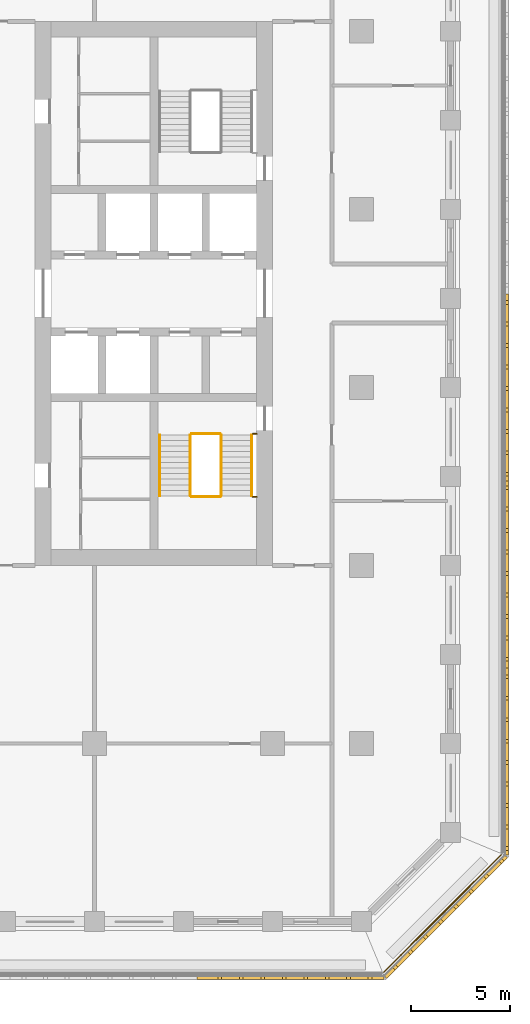
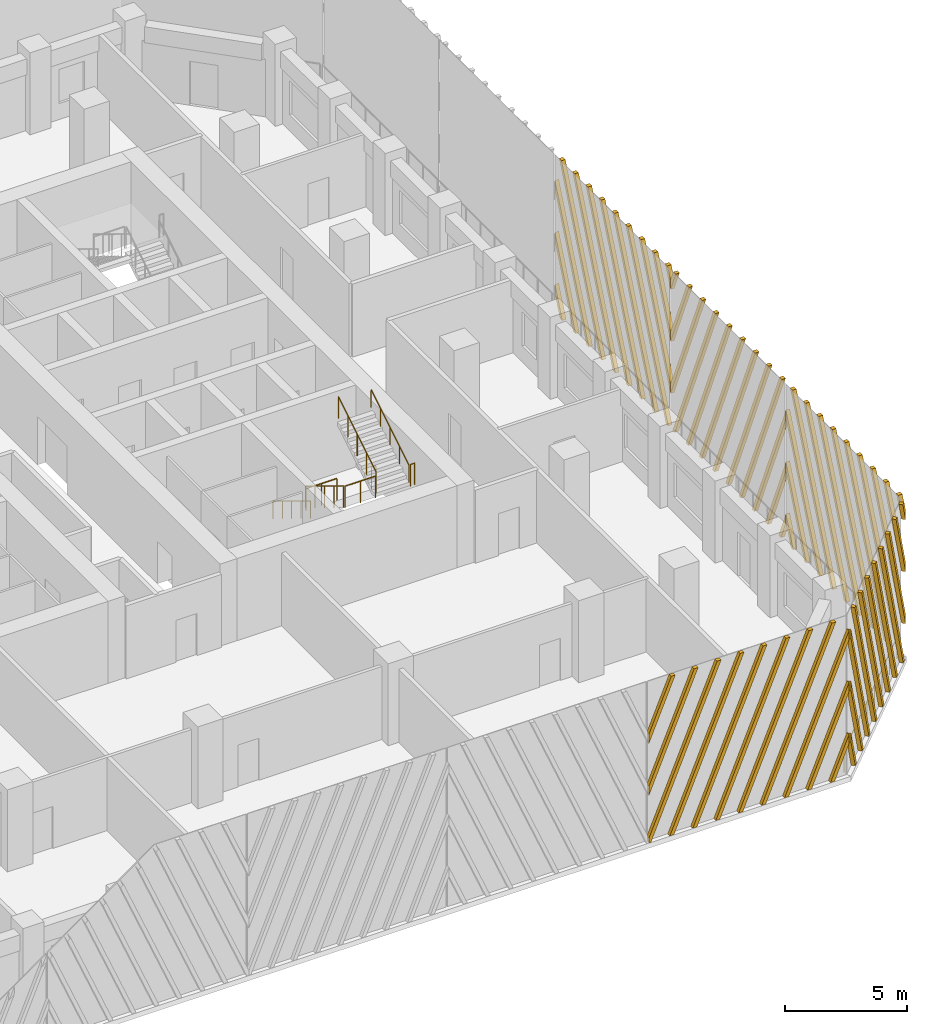
# One storey, part 11 of 16: 9 railings, 5 shading devices.
"""IFC4 building model written with IfcOpenShell, lengths in metres."""

from ifc_helpers import new_model, si_unit, direction, frame, origin, origin_2d, place, context, subcontext, project, spatial, polyline, circle, outline, extrude, source, transform, mapped, material, type_object, element, save


model = new_model("IFC4")

# Units and contexts
model_context = context("Model", 3, precision=1e-05, world=origin(), true_north=direction((0.0, 1.0)))
body_context = subcontext(model_context, "Body", "Model", "MODEL_VIEW")
ifc_project = project(units=[si_unit("LENGTHUNIT", "METRE"), si_unit("AREAUNIT", "SQUARE_METRE"), si_unit("VOLUMEUNIT", "CUBIC_METRE"), si_unit("PLANEANGLEUNIT", "RADIAN"), si_unit("MASSUNIT", "GRAM", prefix="KILO")], contexts=[model_context])

# Site, building, storey
site_placement = place(None, origin())
site = spatial("IfcSite", under=ifc_project, at=site_placement, CompositionType="ELEMENT")
building_placement = place(site_placement, origin())
building = spatial("IfcBuilding", under=site, at=building_placement, Name="Corbel Stack Research Tower", CompositionType="ELEMENT")
storey_placement = place(building_placement, frame((0.0, 0.0, 165.0)))
storey = spatial("IfcBuildingStorey", under=building, at=storey_placement, Name="L37", CompositionType="ELEMENT", Elevation=165.0)

# Railings
ifc_material_1 = material(Name="Steel S355", Category="steel")
railing_type_1 = type_object("IfcRailingType", Name="Stair guard 1100", PredefinedType="GUARDRAIL", material=ifc_material_1)
railing_1_placement = place(storey_placement, frame((13.85009765625, -2.39990234375, 0.1708984375)))
element("IfcRailing", 1, at=railing_1_placement, inside=storey, type_object=railing_type_1, Name="L37 ST-E1 stair guard 1", PredefinedType="GUARDRAIL", context=body_context, shape_type="SweptSolid", body=[
    extrude(circle(Radius=0.02392578125, at=origin_2d()), frame((0.0, 0.0, 1.076171875), z_axis=(0.0, -0.853666305674, 0.52082035152), x_axis=(1.0, 0.0, 0.0)), (0.0, 0.0, 1.0), 3.608154296875),
    extrude(circle(Radius=0.02099609375, at=origin_2d()), origin(), (0.0, 0.0, 1.0), 1.052001953125),
    extrude(circle(Radius=0.02099609375, at=origin_2d()), frame((0.0, -0.77001953125, 0.4697265625)), (0.0, 0.0, 1.0), 1.052001953125),
    extrude(circle(Radius=0.02099609375, at=origin_2d()), frame((0.0, -1.5400390625, 0.939453125)), (0.0, 0.0, 1.0), 1.052001953125),
    extrude(circle(Radius=0.02099609375, at=origin_2d()), frame((0.0, -2.31005859375, 1.409423828125)), (0.0, 0.0, 1.0), 1.052001953125),
    extrude(circle(Radius=0.02099609375, at=origin_2d()), frame((0.0, -3.080078125, 1.879150390625)), (0.0, 0.0, 1.0), 1.052001953125),
])
railing_2_placement = place(storey_placement, frame((13.89990234375, -5.530029296875, 2.050048828125)))
element("IfcRailing", 2, at=railing_2_placement, inside=storey, type_object=railing_type_1, Name="L37 ST-E1 stair guard 2", PredefinedType="GUARDRAIL", context=body_context, shape_type="SweptSolid", body=[
    extrude(circle(Radius=0.02392578125, at=origin_2d()), frame((0.0, 0.0, 1.076171875), z_axis=(1.0, 0.0, 0.0), x_axis=(0.0, 1.0, 0.0)), (0.0, 0.0, 1.0), 1.4501953125),
    extrude(circle(Radius=0.02099609375, at=origin_2d()), origin(), (0.0, 0.0, 1.0), 1.052001953125),
    extrude(circle(Radius=0.02099609375, at=origin_2d()), frame((0.72509765625, 0.0, 0.0)), (0.0, 0.0, 1.0), 1.052001953125),
    extrude(circle(Radius=0.02099609375, at=origin_2d()), frame((1.4501953125, 0.0, 0.0)), (0.0, 0.0, 1.0), 1.052001953125),
])
railing_3_placement = place(storey_placement, frame((17.0, -5.530029296875, 2.050048828125)))
element("IfcRailing", 3, at=railing_3_placement, inside=storey, type_object=railing_type_1, Name="L37 ST-E1 stair guard 3", PredefinedType="GUARDRAIL", context=body_context, shape_type="SweptSolid", body=[
    extrude(circle(Radius=0.02392578125, at=origin_2d()), frame((0.0, 0.0, 1.076171875), z_axis=(1.0, 0.0, 0.0), x_axis=(0.0, 1.0, 0.0)), (0.0, 0.0, 1.0), 0.199951171875),
    extrude(circle(Radius=0.02099609375, at=origin_2d()), origin(), (0.0, 0.0, 1.0), 1.052001953125),
    extrude(circle(Radius=0.02099609375, at=origin_2d()), frame((0.199951171875, 0.0, 0.0)), (0.0, 0.0, 1.0), 1.052001953125),
])
railing_4_placement = place(storey_placement, frame((15.39990234375, -5.47998046875, 2.220947265625)))
element("IfcRailing", 4, at=railing_4_placement, inside=storey, type_object=railing_type_1, Name="L37 ST-E1 stair guard 4", PredefinedType="GUARDRAIL", context=body_context, shape_type="SweptSolid", body=[
    extrude(circle(Radius=0.02392578125, at=origin_2d()), frame((0.0, 0.0, 1.076171875), z_axis=(0.0, 0.853666305674, 0.52082035152), x_axis=(-1.0, 0.0, 0.0)), (0.0, 0.0, 1.0), 3.608154296875),
    extrude(circle(Radius=0.02099609375, at=origin_2d()), origin(), (0.0, 0.0, 1.0), 1.052001953125),
    extrude(circle(Radius=0.02099609375, at=origin_2d()), frame((0.0, 0.77001953125, 0.4697265625)), (0.0, 0.0, 1.0), 1.052001953125),
    extrude(circle(Radius=0.02099609375, at=origin_2d()), frame((0.0, 1.5400390625, 0.939453125)), (0.0, 0.0, 1.0), 1.052001953125),
    extrude(circle(Radius=0.02099609375, at=origin_2d()), frame((0.0, 2.31005859375, 1.409423828125)), (0.0, 0.0, 1.0), 1.052001953125),
    extrude(circle(Radius=0.02099609375, at=origin_2d()), frame((0.0, 3.080078125, 1.879150390625)), (0.0, 0.0, 1.0), 1.052001953125),
])
railing_5_placement = place(storey_placement, frame((13.89990234375, -2.35009765625, 0.0)))
element("IfcRailing", 5, at=railing_5_placement, inside=storey, type_object=railing_type_1, Name="L37 ST-E1 stair guard 5", PredefinedType="GUARDRAIL", context=body_context, shape_type="SweptSolid", body=[
    extrude(circle(Radius=0.02392578125, at=origin_2d()), frame((0.0, 0.0, 1.076171875), z_axis=(1.0, 0.0, 0.0), x_axis=(0.0, 1.0, 0.0)), (0.0, 0.0, 1.0), 1.4501953125),
    extrude(circle(Radius=0.02099609375, at=origin_2d()), origin(), (0.0, 0.0, 1.0), 1.052001953125),
    extrude(circle(Radius=0.02099609375, at=origin_2d()), frame((0.72509765625, 0.0, 0.0)), (0.0, 0.0, 1.0), 1.052001953125),
    extrude(circle(Radius=0.02099609375, at=origin_2d()), frame((1.4501953125, 0.0, 0.0)), (0.0, 0.0, 1.0), 1.052001953125),
])
railing_6_placement = place(storey_placement, frame((17.0, -2.35009765625, 0.0)))
element("IfcRailing", 6, at=railing_6_placement, inside=storey, type_object=railing_type_1, Name="L37 ST-E1 stair guard 6", PredefinedType="GUARDRAIL", context=body_context, shape_type="SweptSolid", body=[
    extrude(circle(Radius=0.02392578125, at=origin_2d()), frame((0.0, 0.0, 1.076171875), z_axis=(1.0, 0.0, 0.0), x_axis=(0.0, 1.0, 0.0)), (0.0, 0.0, 1.0), 0.199951171875),
    extrude(circle(Radius=0.02099609375, at=origin_2d()), origin(), (0.0, 0.0, 1.0), 1.052001953125),
    extrude(circle(Radius=0.02099609375, at=origin_2d()), frame((0.199951171875, 0.0, 0.0)), (0.0, 0.0, 1.0), 1.052001953125),
])
ifc_material_2 = material(Name="Steel S355", Category="steel")
railing_type_2 = type_object("IfcRailingType", Name="Stair handrail 900", PredefinedType="HANDRAIL", material=ifc_material_2)
railing_7_placement = place(storey_placement, frame((12.300048828125, -2.39990234375, 0.1708984375)))
element("IfcRailing", 7, at=railing_7_placement, inside=storey, type_object=railing_type_2, Name="L37 ST-E1 stair handrail 1", PredefinedType="HANDRAIL", context=body_context, shape_type="SweptSolid", body=[
    extrude(circle(Radius=0.02392578125, at=origin_2d()), frame((0.0, 0.0, 0.8759765625), z_axis=(0.0, -0.853666305674, 0.52082035152), x_axis=(1.0, 0.0, 0.0)), (0.0, 0.0, 1.0), 3.608154296875),
    extrude(circle(Radius=0.02099609375, at=origin_2d()), origin(), (0.0, 0.0, 1.0), 0.851806640625),
    extrude(circle(Radius=0.02099609375, at=origin_2d()), frame((0.0, -0.77001953125, 0.4697265625)), (0.0, 0.0, 1.0), 0.851806640625),
    extrude(circle(Radius=0.02099609375, at=origin_2d()), frame((0.0, -1.5400390625, 0.939453125)), (0.0, 0.0, 1.0), 0.851806640625),
    extrude(circle(Radius=0.02099609375, at=origin_2d()), frame((0.0, -2.31005859375, 1.409423828125)), (0.0, 0.0, 1.0), 0.851806640625),
    extrude(circle(Radius=0.02099609375, at=origin_2d()), frame((0.0, -3.080078125, 1.879150390625)), (0.0, 0.0, 1.0), 0.851806640625),
])
railing_8_placement = place(storey_placement, frame((16.949951171875, -5.47998046875, 2.220947265625)))
element("IfcRailing", 8, at=railing_8_placement, inside=storey, type_object=railing_type_2, Name="L37 ST-E1 stair handrail 2", PredefinedType="HANDRAIL", context=body_context, shape_type="SweptSolid", body=[
    extrude(circle(Radius=0.02392578125, at=origin_2d()), frame((0.0, 0.0, 0.8759765625), z_axis=(0.0, 0.853666305674, 0.52082035152), x_axis=(-1.0, 0.0, 0.0)), (0.0, 0.0, 1.0), 3.608154296875),
    extrude(circle(Radius=0.02099609375, at=origin_2d()), origin(), (0.0, 0.0, 1.0), 0.851806640625),
    extrude(circle(Radius=0.02099609375, at=origin_2d()), frame((0.0, 0.77001953125, 0.4697265625)), (0.0, 0.0, 1.0), 0.851806640625),
    extrude(circle(Radius=0.02099609375, at=origin_2d()), frame((0.0, 1.5400390625, 0.939453125)), (0.0, 0.0, 1.0), 0.851806640625),
    extrude(circle(Radius=0.02099609375, at=origin_2d()), frame((0.0, 2.31005859375, 1.409423828125)), (0.0, 0.0, 1.0), 0.851806640625),
    extrude(circle(Radius=0.02099609375, at=origin_2d()), frame((0.0, 3.080078125, 1.879150390625)), (0.0, 0.0, 1.0), 0.851806640625),
])
ifc_material_3 = material(Name="Powder-coated steel guard", Category="steel")
railing_type_3 = type_object("IfcRailingType", Name="Steel and glass guard 1100", PredefinedType="GUARDRAIL", material=ifc_material_3)
railing_9_placement = place(storey_placement, frame((23.627685546875, -29.54931640625, 0.0)))
element("IfcRailing", 9, at=railing_9_placement, inside=storey, type_object=railing_type_3, Name="Loggia guard L37 SE", PredefinedType="GUARDRAIL", context=body_context, shape_type="SweptSolid", body=[
    extrude(circle(Radius=0.02392578125, at=origin_2d()), frame((0.0, 0.0, 1.076171875), z_axis=(0.707106781187, 0.707106781187, 0.0), x_axis=(-0.707106781187, 0.707106781187, 0.0)), (0.0, 0.0, 1.0), 8.37451171875),
    extrude(circle(Radius=0.02099609375, at=origin_2d()), origin(), (0.0, 0.0, 1.0), 1.052001953125),
    extrude(circle(Radius=0.02099609375, at=origin_2d()), frame((0.845947265625, 0.845947265625, 0.0)), (0.0, 0.0, 1.0), 1.052001953125),
    extrude(circle(Radius=0.02099609375, at=origin_2d()), frame((1.69189453125, 1.69189453125, 0.0)), (0.0, 0.0, 1.0), 1.052001953125),
    extrude(circle(Radius=0.02099609375, at=origin_2d()), frame((2.537841796875, 2.537841796875, 0.0)), (0.0, 0.0, 1.0), 1.052001953125),
    extrude(circle(Radius=0.02099609375, at=origin_2d()), frame((3.3837890625, 3.3837890625, 0.0)), (0.0, 0.0, 1.0), 1.052001953125),
    extrude(circle(Radius=0.02099609375, at=origin_2d()), frame((4.229736328125, 4.229736328125, 0.0)), (0.0, 0.0, 1.0), 1.052001953125),
    extrude(circle(Radius=0.02099609375, at=origin_2d()), frame((5.07568359375, 5.07568359375, 0.0)), (0.0, 0.0, 1.0), 1.052001953125),
    extrude(circle(Radius=0.02099609375, at=origin_2d()), frame((5.921630859375, 5.921630859375, 0.0)), (0.0, 0.0, 1.0), 1.052001953125),
])

# Shading devices
ifc_material_4 = material(Name="Precast terracotta", Category="masonry")
shading_device_type = type_object("IfcShadingDeviceType", Name="Terracotta screen panel", PredefinedType="USERDEFINED", material=ifc_material_4)
shared_shape_1 = source(origin(), body_context, "Body", "SweptSolid", [
    extrude(outline(polyline([(1.245849609375, 7.949951171875), (1.055908203125, 7.949951171875), (0.0, 5.421875), (0.0, 4.966796875), (1.245849609375, 7.949951171875)])), frame((0.0, 0.0, 0.0), z_axis=(0.0, -1.0, 0.0), x_axis=(1.0, 0.0, 0.0)), (0.0, 0.0, 1.0), 0.179931640625),
    extrude(outline(polyline([(2.33056640625, 7.949951171875), (2.140380859375, 7.949951171875), (0.0, 2.82470703125), (0.0, 2.36962890625), (2.33056640625, 7.949951171875)])), frame((0.0, 0.0, 0.0), z_axis=(0.0, -1.0, 0.0), x_axis=(1.0, 0.0, 0.0)), (0.0, 0.0, 1.0), 0.179931640625),
    extrude(outline(polyline([(0.094970703125, 0.0), (3.415283203125, 7.949951171875), (3.22509765625, 7.949951171875), (0.0, 0.2275390625), (0.0, 0.0), (0.094970703125, 0.0)])), frame((0.0, 0.0, 0.0), z_axis=(0.0, -1.0, 0.0), x_axis=(1.0, 0.0, 0.0)), (0.0, 0.0, 1.0), 0.179931640625),
    extrude(outline(polyline([(1.1796875, 0.0), (4.499755859375, 7.949951171875), (4.309814453125, 7.949951171875), (0.98974609375, 0.0), (1.1796875, 0.0)])), frame((0.0, 0.0, 0.0), z_axis=(0.0, -1.0, 0.0), x_axis=(1.0, 0.0, 0.0)), (0.0, 0.0, 1.0), 0.179931640625),
    extrude(outline(polyline([(2.264404296875, 0.0), (5.58447265625, 7.949951171875), (5.39453125, 7.949951171875), (2.07421875, 0.0), (2.264404296875, 0.0)])), frame((0.0, 0.0, 0.0), z_axis=(0.0, -1.0, 0.0), x_axis=(1.0, 0.0, 0.0)), (0.0, 0.0, 1.0), 0.179931640625),
    extrude(outline(polyline([(3.34912109375, 0.0), (6.669189453125, 7.949951171875), (6.479248046875, 7.949951171875), (3.158935546875, 0.0), (3.34912109375, 0.0)])), frame((0.0, 0.0, 0.0), z_axis=(0.0, -1.0, 0.0), x_axis=(1.0, 0.0, 0.0)), (0.0, 0.0, 1.0), 0.179931640625),
    extrude(outline(polyline([(4.43359375, 0.0), (7.75390625, 7.949951171875), (7.563720703125, 7.949951171875), (4.24365234375, 0.0), (4.43359375, 0.0)])), frame((0.0, 0.0, 0.0), z_axis=(0.0, -1.0, 0.0), x_axis=(1.0, 0.0, 0.0)), (0.0, 0.0, 1.0), 0.179931640625),
    extrude(outline(polyline([(5.518310546875, 0.0), (8.83837890625, 7.949951171875), (8.6484375, 7.949951171875), (5.328369140625, 0.0), (5.518310546875, 0.0)])), frame((0.0, 0.0, 0.0), z_axis=(0.0, -1.0, 0.0), x_axis=(1.0, 0.0, 0.0)), (0.0, 0.0, 1.0), 0.179931640625),
    extrude(outline(polyline([(6.60302734375, 0.0), (9.45556640625, 6.83056640625), (9.45556640625, 7.285400390625), (6.4130859375, 0.0), (6.60302734375, 0.0)])), frame((0.0, 0.0, 0.0), z_axis=(0.0, -1.0, 0.0), x_axis=(1.0, 0.0, 0.0)), (0.0, 0.0, 1.0), 0.179931640625),
    extrude(outline(polyline([(7.687744140625, 0.0), (9.45556640625, 4.2333984375), (9.45556640625, 4.688232421875), (7.497802734375, 0.0), (7.687744140625, 0.0)])), frame((0.0, 0.0, 0.0), z_axis=(0.0, -1.0, 0.0), x_axis=(1.0, 0.0, 0.0)), (0.0, 0.0, 1.0), 0.179931640625),
    extrude(outline(polyline([(8.772216796875, 0.0), (9.45556640625, 1.635986328125), (9.45556640625, 2.091064453125), (8.582275390625, 0.0), (8.772216796875, 0.0)])), frame((0.0, 0.0, 0.0), z_axis=(0.0, -1.0, 0.0), x_axis=(1.0, 0.0, 0.0)), (0.0, 0.0, 1.0), 0.179931640625),
])
shading_device_1_placement = place(storey_placement, frame((14.18359375, -29.75, 0.0), z_axis=(0.0, 0.0, 1.0), x_axis=(1.0, 0.0, 0.0)))
element("IfcShadingDevice", 10, at=shading_device_1_placement, inside=storey, type_object=shading_device_type, Name="Terracotta screen L37 S5", ObjectType="SCREEN", PredefinedType="USERDEFINED", context=body_context, shape_type="MappedRepresentation", body=[
    mapped(shared_shape_1, transform((0.0, 0.0, 0.0))),
])
shared_shape_2 = source(origin(), body_context, "Body", "SweptSolid", [
    extrude(outline(polyline([(0.873291015625, 0.0), (0.0, 2.091064453125), (0.0, 1.635986328125), (0.683349609375, 0.0), (0.873291015625, 0.0)])), frame((0.0, 0.0, 0.0), z_axis=(0.0, -1.0, 0.0), x_axis=(1.0, 0.0, 0.0)), (0.0, 0.0, 1.0), 0.179931640625),
    extrude(outline(polyline([(1.9580078125, 0.0), (0.0, 4.688232421875), (0.0, 4.2333984375), (1.76806640625, 0.0), (1.9580078125, 0.0)])), frame((0.0, 0.0, 0.0), z_axis=(0.0, -1.0, 0.0), x_axis=(1.0, 0.0, 0.0)), (0.0, 0.0, 1.0), 0.179931640625),
    extrude(outline(polyline([(3.04248046875, 0.0), (0.0, 7.285400390625), (0.0, 6.83056640625), (2.8525390625, 0.0), (3.04248046875, 0.0)])), frame((0.0, 0.0, 0.0), z_axis=(0.0, -1.0, 0.0), x_axis=(1.0, 0.0, 0.0)), (0.0, 0.0, 1.0), 0.179931640625),
    extrude(outline(polyline([(4.127197265625, 0.0), (0.80712890625, 7.949951171875), (0.6171875, 7.949951171875), (3.937255859375, 0.0), (4.127197265625, 0.0)])), frame((0.0, 0.0, 0.0), z_axis=(0.0, -1.0, 0.0), x_axis=(1.0, 0.0, 0.0)), (0.0, 0.0, 1.0), 0.179931640625),
    extrude(outline(polyline([(5.2119140625, 0.0), (1.891845703125, 7.949951171875), (1.701904296875, 7.949951171875), (5.02197265625, 0.0), (5.2119140625, 0.0)])), frame((0.0, 0.0, 0.0), z_axis=(0.0, -1.0, 0.0), x_axis=(1.0, 0.0, 0.0)), (0.0, 0.0, 1.0), 0.179931640625),
    extrude(outline(polyline([(6.296630859375, 0.0), (2.9765625, 7.949951171875), (2.78662109375, 7.949951171875), (6.106689453125, 0.0), (6.296630859375, 0.0)])), frame((0.0, 0.0, 0.0), z_axis=(0.0, -1.0, 0.0), x_axis=(1.0, 0.0, 0.0)), (0.0, 0.0, 1.0), 0.179931640625),
    extrude(outline(polyline([(7.38134765625, 0.0), (4.06103515625, 7.949951171875), (3.87109375, 7.949951171875), (7.19140625, 0.0), (7.38134765625, 0.0)])), frame((0.0, 0.0, 0.0), z_axis=(0.0, -1.0, 0.0), x_axis=(1.0, 0.0, 0.0)), (0.0, 0.0, 1.0), 0.179931640625),
    extrude(outline(polyline([(8.466064453125, 0.0), (5.145751953125, 7.949951171875), (4.955810546875, 7.949951171875), (8.27587890625, 0.0), (8.466064453125, 0.0)])), frame((0.0, 0.0, 0.0), z_axis=(0.0, -1.0, 0.0), x_axis=(1.0, 0.0, 0.0)), (0.0, 0.0, 1.0), 0.179931640625),
    extrude(outline(polyline([(6.23046875, 7.949951171875), (6.04052734375, 7.949951171875), (8.64208984375, 1.720458984375), (8.64208984375, 2.17529296875), (6.23046875, 7.949951171875)])), frame((0.0, 0.0, 0.0), z_axis=(0.0, -1.0, 0.0), x_axis=(1.0, 0.0, 0.0)), (0.0, 0.0, 1.0), 0.179931640625),
    extrude(outline(polyline([(7.315185546875, 7.949951171875), (7.125, 7.949951171875), (8.64208984375, 4.317626953125), (8.64208984375, 4.7724609375), (7.315185546875, 7.949951171875)])), frame((0.0, 0.0, 0.0), z_axis=(0.0, -1.0, 0.0), x_axis=(1.0, 0.0, 0.0)), (0.0, 0.0, 1.0), 0.179931640625),
    extrude(outline(polyline([(8.39990234375, 7.949951171875), (8.209716796875, 7.949951171875), (8.64208984375, 6.914794921875), (8.64208984375, 7.36962890625), (8.39990234375, 7.949951171875)])), frame((0.0, 0.0, 0.0), z_axis=(0.0, -1.0, 0.0), x_axis=(1.0, 0.0, 0.0)), (0.0, 0.0, 1.0), 0.179931640625),
])
shading_device_2_placement = place(storey_placement, frame((23.63916015625, -29.75, 0.0), z_axis=(0.0, 0.0, 1.0), x_axis=(0.707106781187, 0.707106781187, 0.0)))
element("IfcShadingDevice", 11, at=shading_device_2_placement, inside=storey, type_object=shading_device_type, Name="Terracotta screen L37 SE1", ObjectType="SCREEN", PredefinedType="USERDEFINED", context=body_context, shape_type="MappedRepresentation", body=[
    mapped(shared_shape_2, transform((0.0, 0.0, 0.0))),
])
shared_shape_3 = source(origin(), body_context, "Body", "SweptSolid", [
    extrude(outline(polyline([(0.432373046875, 7.949951171875), (0.2421875, 7.949951171875), (0.0, 7.36962890625), (0.0, 6.914794921875), (0.432373046875, 7.949951171875)])), frame((0.0, 0.0, 0.0), z_axis=(0.0, -1.0, 0.0), x_axis=(1.0, 0.0, 0.0)), (0.0, 0.0, 1.0), 0.179931640625),
    extrude(outline(polyline([(1.51708984375, 7.949951171875), (1.326904296875, 7.949951171875), (0.0, 4.7724609375), (0.0, 4.317626953125), (1.51708984375, 7.949951171875)])), frame((0.0, 0.0, 0.0), z_axis=(0.0, -1.0, 0.0), x_axis=(1.0, 0.0, 0.0)), (0.0, 0.0, 1.0), 0.179931640625),
    extrude(outline(polyline([(2.601806640625, 7.949951171875), (2.41162109375, 7.949951171875), (0.0, 2.17529296875), (0.0, 1.720458984375), (2.601806640625, 7.949951171875)])), frame((0.0, 0.0, 0.0), z_axis=(0.0, -1.0, 0.0), x_axis=(1.0, 0.0, 0.0)), (0.0, 0.0, 1.0), 0.179931640625),
    extrude(outline(polyline([(0.3662109375, 0.0), (3.686279296875, 7.949951171875), (3.496337890625, 7.949951171875), (0.17626953125, 0.0), (0.3662109375, 0.0)])), frame((0.0, 0.0, 0.0), z_axis=(0.0, -1.0, 0.0), x_axis=(1.0, 0.0, 0.0)), (0.0, 0.0, 1.0), 0.179931640625),
    extrude(outline(polyline([(1.45068359375, 0.0), (4.77099609375, 7.949951171875), (4.5810546875, 7.949951171875), (1.2607421875, 0.0), (1.45068359375, 0.0)])), frame((0.0, 0.0, 0.0), z_axis=(0.0, -1.0, 0.0), x_axis=(1.0, 0.0, 0.0)), (0.0, 0.0, 1.0), 0.179931640625),
    extrude(outline(polyline([(2.535400390625, 0.0), (5.855712890625, 7.949951171875), (5.665771484375, 7.949951171875), (2.345458984375, 0.0), (2.535400390625, 0.0)])), frame((0.0, 0.0, 0.0), z_axis=(0.0, -1.0, 0.0), x_axis=(1.0, 0.0, 0.0)), (0.0, 0.0, 1.0), 0.179931640625),
    extrude(outline(polyline([(3.6201171875, 0.0), (6.940185546875, 7.949951171875), (6.750244140625, 7.949951171875), (3.43017578125, 0.0), (3.6201171875, 0.0)])), frame((0.0, 0.0, 0.0), z_axis=(0.0, -1.0, 0.0), x_axis=(1.0, 0.0, 0.0)), (0.0, 0.0, 1.0), 0.179931640625),
    extrude(outline(polyline([(4.704833984375, 0.0), (8.02490234375, 7.949951171875), (7.8349609375, 7.949951171875), (4.514892578125, 0.0), (4.704833984375, 0.0)])), frame((0.0, 0.0, 0.0), z_axis=(0.0, -1.0, 0.0), x_axis=(1.0, 0.0, 0.0)), (0.0, 0.0, 1.0), 0.179931640625),
    extrude(outline(polyline([(5.78955078125, 0.0), (9.109619140625, 7.949951171875), (8.919677734375, 7.949951171875), (5.599609375, 0.0), (5.78955078125, 0.0)])), frame((0.0, 0.0, 0.0), z_axis=(0.0, -1.0, 0.0), x_axis=(1.0, 0.0, 0.0)), (0.0, 0.0, 1.0), 0.179931640625),
    extrude(outline(polyline([(6.874267578125, 0.0), (9.45556640625, 6.18115234375), (9.45556640625, 6.63623046875), (6.68408203125, 0.0), (6.874267578125, 0.0)])), frame((0.0, 0.0, 0.0), z_axis=(0.0, -1.0, 0.0), x_axis=(1.0, 0.0, 0.0)), (0.0, 0.0, 1.0), 0.179931640625),
    extrude(outline(polyline([(7.958740234375, 0.0), (9.45556640625, 3.583984375), (9.45556640625, 4.0390625), (7.768798828125, 0.0), (7.958740234375, 0.0)])), frame((0.0, 0.0, 0.0), z_axis=(0.0, -1.0, 0.0), x_axis=(1.0, 0.0, 0.0)), (0.0, 0.0, 1.0), 0.179931640625),
    extrude(outline(polyline([(9.04345703125, 0.0), (9.45556640625, 0.98681640625), (9.45556640625, 1.44189453125), (8.853515625, 0.0), (9.04345703125, 0.0)])), frame((0.0, 0.0, 0.0), z_axis=(0.0, -1.0, 0.0), x_axis=(1.0, 0.0, 0.0)), (0.0, 0.0, 1.0), 0.179931640625),
])
for number, where, z_axis, x_axis, name in (
    (12, (29.75, -23.63916015625, 0.0), (0.0, 0.0, 1.0), (0.0, 1.0, 0.0), "Terracotta screen L37 E1"),
    (13, (29.75, -4.727783203125, 0.0), (0.0, 0.0, 1.0), (0.0, 1.0, 0.0), "Terracotta screen L37 E3"),
):
    element("IfcShadingDevice", number, at=place(storey_placement, frame(where, z_axis=z_axis, x_axis=x_axis)), inside=storey, type_object=shading_device_type, Name=name, ObjectType="SCREEN", PredefinedType="USERDEFINED", context=body_context, shape_type="MappedRepresentation", body=[
        mapped(shared_shape_3, transform((0.0, 0.0, 0.0))),
    ])
shared_shape_4 = source(origin(), body_context, "Body", "SweptSolid", [
    extrude(outline(polyline([(0.60205078125, 0.0), (0.0, 1.44189453125), (0.0, 0.98681640625), (0.412109375, 0.0), (0.60205078125, 0.0)])), frame((0.0, 0.0, 0.0), z_axis=(0.0, -1.0, 0.0), x_axis=(1.0, 0.0, 0.0)), (0.0, 0.0, 1.0), 0.179931640625),
    extrude(outline(polyline([(1.686767578125, 0.0), (0.0, 4.0390625), (0.0, 3.583984375), (1.496826171875, 0.0), (1.686767578125, 0.0)])), frame((0.0, 0.0, 0.0), z_axis=(0.0, -1.0, 0.0), x_axis=(1.0, 0.0, 0.0)), (0.0, 0.0, 1.0), 0.179931640625),
    extrude(outline(polyline([(2.771484375, 0.0), (0.0, 6.63623046875), (0.0, 6.18115234375), (2.58154296875, 0.0), (2.771484375, 0.0)])), frame((0.0, 0.0, 0.0), z_axis=(0.0, -1.0, 0.0), x_axis=(1.0, 0.0, 0.0)), (0.0, 0.0, 1.0), 0.179931640625),
    extrude(outline(polyline([(3.856201171875, 0.0), (0.535888671875, 7.949951171875), (0.345947265625, 7.949951171875), (3.666015625, 0.0), (3.856201171875, 0.0)])), frame((0.0, 0.0, 0.0), z_axis=(0.0, -1.0, 0.0), x_axis=(1.0, 0.0, 0.0)), (0.0, 0.0, 1.0), 0.179931640625),
    extrude(outline(polyline([(4.94091796875, 0.0), (1.62060546875, 7.949951171875), (1.4306640625, 7.949951171875), (4.750732421875, 0.0), (4.94091796875, 0.0)])), frame((0.0, 0.0, 0.0), z_axis=(0.0, -1.0, 0.0), x_axis=(1.0, 0.0, 0.0)), (0.0, 0.0, 1.0), 0.179931640625),
    extrude(outline(polyline([(6.025390625, 0.0), (2.705322265625, 7.949951171875), (2.515380859375, 7.949951171875), (5.83544921875, 0.0), (6.025390625, 0.0)])), frame((0.0, 0.0, 0.0), z_axis=(0.0, -1.0, 0.0), x_axis=(1.0, 0.0, 0.0)), (0.0, 0.0, 1.0), 0.179931640625),
    extrude(outline(polyline([(7.110107421875, 0.0), (3.7900390625, 7.949951171875), (3.60009765625, 7.949951171875), (6.920166015625, 0.0), (7.110107421875, 0.0)])), frame((0.0, 0.0, 0.0), z_axis=(0.0, -1.0, 0.0), x_axis=(1.0, 0.0, 0.0)), (0.0, 0.0, 1.0), 0.179931640625),
    extrude(outline(polyline([(8.19482421875, 0.0), (4.87451171875, 7.949951171875), (4.6845703125, 7.949951171875), (8.0048828125, 0.0), (8.19482421875, 0.0)])), frame((0.0, 0.0, 0.0), z_axis=(0.0, -1.0, 0.0), x_axis=(1.0, 0.0, 0.0)), (0.0, 0.0, 1.0), 0.179931640625),
    extrude(outline(polyline([(9.279541015625, 0.0), (5.959228515625, 7.949951171875), (5.769287109375, 7.949951171875), (9.089599609375, 0.0), (9.279541015625, 0.0)])), frame((0.0, 0.0, 0.0), z_axis=(0.0, -1.0, 0.0), x_axis=(1.0, 0.0, 0.0)), (0.0, 0.0, 1.0), 0.179931640625),
    extrude(outline(polyline([(7.0439453125, 7.949951171875), (6.85400390625, 7.949951171875), (9.45556640625, 1.720458984375), (9.45556640625, 2.17529296875), (7.0439453125, 7.949951171875)])), frame((0.0, 0.0, 0.0), z_axis=(0.0, -1.0, 0.0), x_axis=(1.0, 0.0, 0.0)), (0.0, 0.0, 1.0), 0.179931640625),
    extrude(outline(polyline([(8.128662109375, 7.949951171875), (7.938720703125, 7.949951171875), (9.45556640625, 4.317626953125), (9.45556640625, 4.7724609375), (8.128662109375, 7.949951171875)])), frame((0.0, 0.0, 0.0), z_axis=(0.0, -1.0, 0.0), x_axis=(1.0, 0.0, 0.0)), (0.0, 0.0, 1.0), 0.179931640625),
    extrude(outline(polyline([(9.21337890625, 7.949951171875), (9.023193359375, 7.949951171875), (9.45556640625, 6.914794921875), (9.45556640625, 7.36962890625), (9.21337890625, 7.949951171875)])), frame((0.0, 0.0, 0.0), z_axis=(0.0, -1.0, 0.0), x_axis=(1.0, 0.0, 0.0)), (0.0, 0.0, 1.0), 0.179931640625),
])
shading_device_3_placement = place(storey_placement, frame((29.75, -14.18359375, 0.0), z_axis=(0.0, 0.0, 1.0), x_axis=(0.0, 1.0, 0.0)))
element("IfcShadingDevice", 14, at=shading_device_3_placement, inside=storey, type_object=shading_device_type, Name="Terracotta screen L37 E2", ObjectType="SCREEN", PredefinedType="USERDEFINED", context=body_context, shape_type="MappedRepresentation", body=[
    mapped(shared_shape_4, transform((0.0, 0.0, 0.0))),
])

save(model, "model.ifc")
